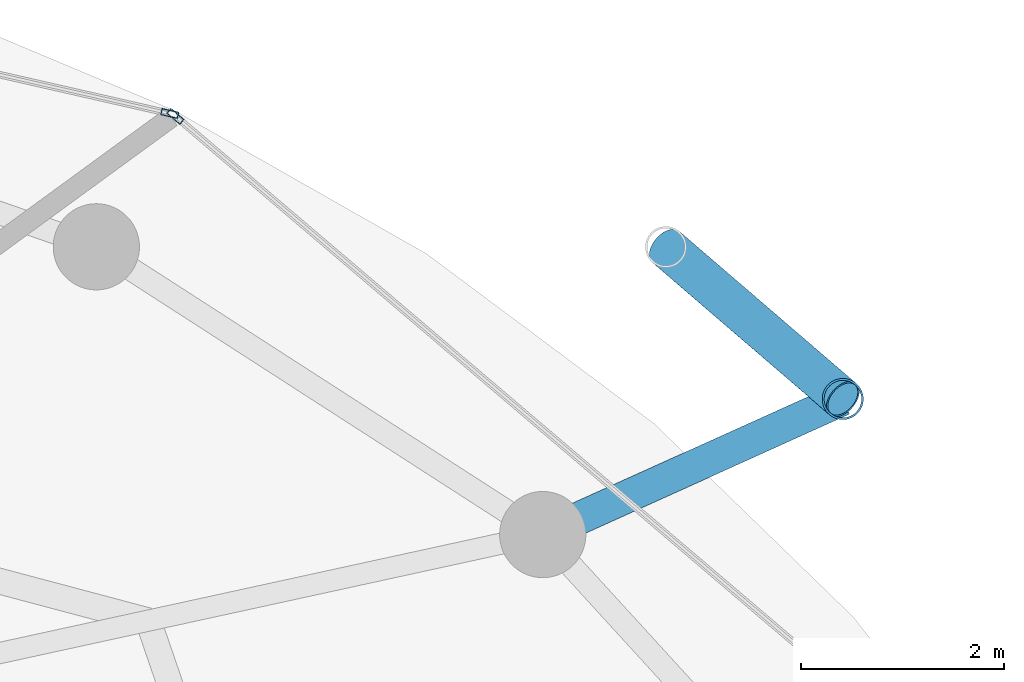
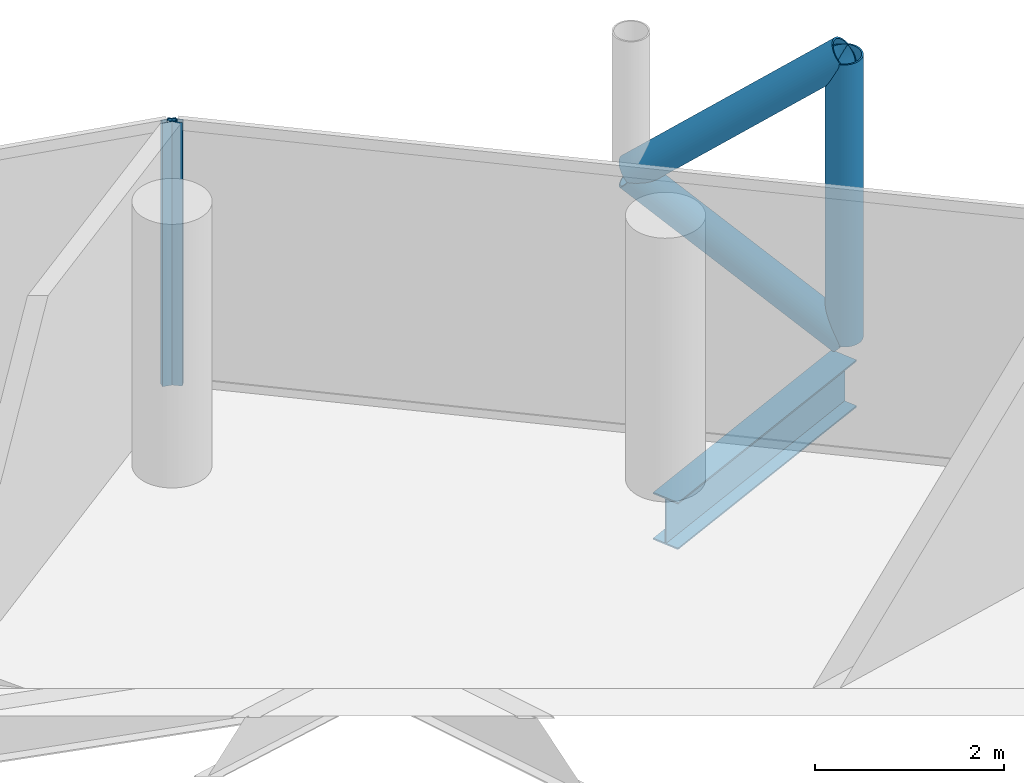
# One storey, part 21 of 28: 5 members, 1 beam, 2 elements without a shape of their own.
"""IFC4 building model written with IfcOpenShell, lengths in metres."""

from ifc_helpers import new_model, si_unit, direction, frame, origin, origin_2d, place, context, subcontext, project, spatial, hollow_rectangle, hollow_circle, i_section, extrude, material, layer, layer_set, material_profile, profile_set, type_object, element, aggregate, save


model = new_model("IFC4")

# Units and contexts
model_context = context("Model", 3, precision=1e-05, world=origin(), true_north=direction((0.0, 1.0)))
body_context = subcontext(model_context, "Body", "Model", "MODEL_VIEW")
ifc_project = project(units=[si_unit("LENGTHUNIT", "METRE"), si_unit("AREAUNIT", "SQUARE_METRE"), si_unit("VOLUMEUNIT", "CUBIC_METRE"), si_unit("PLANEANGLEUNIT", "RADIAN"), si_unit("MASSUNIT", "GRAM", prefix="KILO")], contexts=[model_context])

# Site, building, storey
site_placement = place(None, origin())
site = spatial("IfcSite", under=ifc_project, at=site_placement, CompositionType="ELEMENT")
building_placement = place(site_placement, origin())
building = spatial("IfcBuilding", under=site, at=building_placement, Name="Nuhasar Tower", CompositionType="ELEMENT")
storey_placement = place(building_placement, frame((0.0, 0.0, 222.75)))
storey = spatial("IfcBuildingStorey", under=building, at=storey_placement, Name="L54", CompositionType="ELEMENT", Elevation=222.75)

# Beam
ifc_material_1 = material(Name="Steel S355", Category="steel")
ifc_material_profile_1 = material_profile(ifc_material_1, i_section(OverallWidth=0.323974609375, OverallDepth=0.611083984375, WebThickness=0.0126953125, FlangeThickness=0.01904296875, at=origin_2d()), Name="W24X104")
ifc_profile_set_1 = profile_set([ifc_material_profile_1], Name="Steel S355")
beam_type = type_object("IfcBeamType", Name="BM-TIE-W24X104", PredefinedType="BEAM", material=ifc_profile_set_1)
beam_placement = place(storey_placement, frame((54.02587890625, 39.422119140625, -0.5458984375), z_axis=(0.911363318082, 0.411602845538, 0.0), x_axis=(-0.411602845538, 0.911363318082, 0.0)))
element("IfcBeam", 1, at=beam_placement, inside=storey, type_object=beam_type, Name="L54 Exoskeleton Node Tie Beam 02", PredefinedType="BEAM", context=body_context, shape_type="SweptSolid", body=[
    extrude(i_section(OverallWidth=0.323974609375, OverallDepth=0.611083984375, WebThickness=0.0126953125, FlangeThickness=0.01904296875, at=origin_2d()), origin(), (0.0, 0.0, 1.0), 3.24560546875),
])

# Curtain wall, member
ifc_material_2 = material(Name="Aluminium 6063-T6", Category="aluminium")
ifc_layer = layer(ifc_material_2, 0.18994140625)
ifc_layer_set = layer_set([ifc_layer], Name="Aluminium 6063-T6")
curtain_wall_type = type_object("IfcCurtainWallType", Name="CW-Z3-RES", PredefinedType="NOTDEFINED", material=ifc_layer_set)
curtain_wall_1_placement = place(storey_placement, origin())
curtain_wall_1 = element("IfcCurtainWall", 2, at=curtain_wall_1_placement, inside=storey, type_object=curtain_wall_type, Name="L54 Unitised Curtain Wall 02", PredefinedType="NOTDEFINED")
ifc_material_profile_2 = material_profile(ifc_material_2, hollow_rectangle(XDim=0.06494140625, YDim=0.169921875, WallThickness=0.0048828125, at=origin_2d()), Name="CWM-4")
ifc_profile_set_2 = profile_set([ifc_material_profile_2], Name="Aluminium 6063-T6")
member_type_1 = type_object("IfcMemberType", Name="CW-MUL-S4", PredefinedType="MULLION", material=ifc_profile_set_2)
member_1_placement = place(storey_placement, frame((50.40478515625, 43.544921875, 0.0), z_axis=(0.0, 0.0, 1.0), x_axis=(-0.64789521578, -0.761729472562, 0.0)))
member_1 = element("IfcMember", 3, at=member_1_placement, type_object=member_type_1, Name="CW-Z3 mullion 2", PredefinedType="MULLION", context=body_context, shape_type="SweptSolid", body=[
    extrude(hollow_rectangle(XDim=0.06494140625, YDim=0.169921875, WallThickness=0.0048828125, at=origin_2d()), origin(), (0.0, 0.0, 1.0), 3.409912109375),
])
aggregate(curtain_wall_1, [member_1])

curtain_wall_2_placement = place(storey_placement, origin())
curtain_wall_2 = element("IfcCurtainWall", 4, at=curtain_wall_2_placement, inside=storey, type_object=curtain_wall_type, Name="L54 Unitised Curtain Wall 03", PredefinedType="NOTDEFINED")
member_2_placement = place(storey_placement, frame((50.348388671875, 43.5732421875, 0.0), z_axis=(0.0, 0.0, 1.0), x_axis=(-0.222243176313, -0.974991266926, 0.0)))
member_2 = element("IfcMember", 5, at=member_2_placement, type_object=member_type_1, Name="CW-Z3 mullion 1", PredefinedType="MULLION", context=body_context, shape_type="SweptSolid", body=[
    extrude(hollow_rectangle(XDim=0.06494140625, YDim=0.169921875, WallThickness=0.0048828125, at=origin_2d()), origin(), (0.0, 0.0, 1.0), 3.409912109375),
])
aggregate(curtain_wall_2, [member_2])

# Members
ifc_material_3 = material(Name="Steel S460", Category="steel")
ifc_material_profile_3 = material_profile(ifc_material_3, hollow_circle(Radius=0.203125, WallThickness=0.01904296875, at=origin_2d()), Name="HSS406.4X19.1")
ifc_profile_set_3 = profile_set([ifc_material_profile_3], Name="Steel S460")
member_type_2 = type_object("IfcMemberType", Name="EXO-BRONZE-406", PredefinedType="BRACE", material=ifc_profile_set_3)
member_3_placement = place(storey_placement, frame((56.98388671875, 40.758056640625, 0.0), z_axis=(0.0, 0.0, 1.0), x_axis=(1.0, 0.0, 0.0)))
element("IfcMember", 6, at=member_3_placement, inside=storey, type_object=member_type_2, Name="L54 Exoskeleton Chord Column EC-02A", PredefinedType="BRACE", context=body_context, shape_type="SweptSolid", body=[
    extrude(hollow_circle(Radius=0.203125, WallThickness=0.01904296875, at=origin_2d()), origin(), (0.0, 0.0, 1.0), 3.64990234375),
])
for number, where, z_axis, x_axis, name in (
    (7, (56.98388671875, 40.758056640625, 0.0), (-0.594018535389, 0.510608120858, 0.621627964725), (-0.65185738425, -0.758341579104, 0.0), "L54 Bronze Diagrid Brace W1-02"),
    (8, (55.239990234375, 42.257080078125, 1.824951171875), (0.594018535389, -0.510608120858, 0.621627964725), (0.65185738425, 0.758341579104, 0.0), "L54 Bronze Diagrid Brace W2-02"),
):
    element("IfcMember", number, at=place(storey_placement, frame(where, z_axis=z_axis, x_axis=x_axis)), inside=storey, type_object=member_type_2, Name=name, PredefinedType="BRACE", context=body_context, shape_type="SweptSolid", body=[
        extrude(hollow_circle(Radius=0.203125, WallThickness=0.01904296875, at=origin_2d()), origin(), (0.0, 0.0, 1.0), 2.935791015625),
    ])

save(model, "model.ifc")
